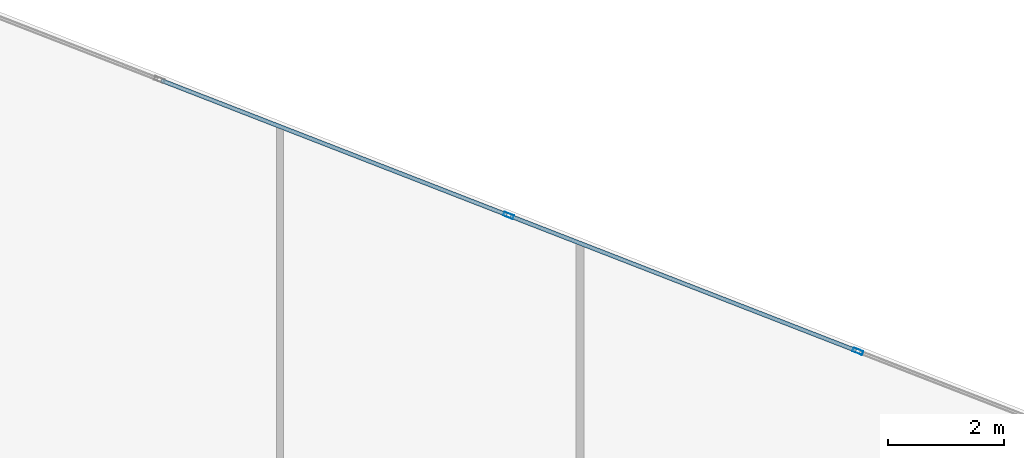
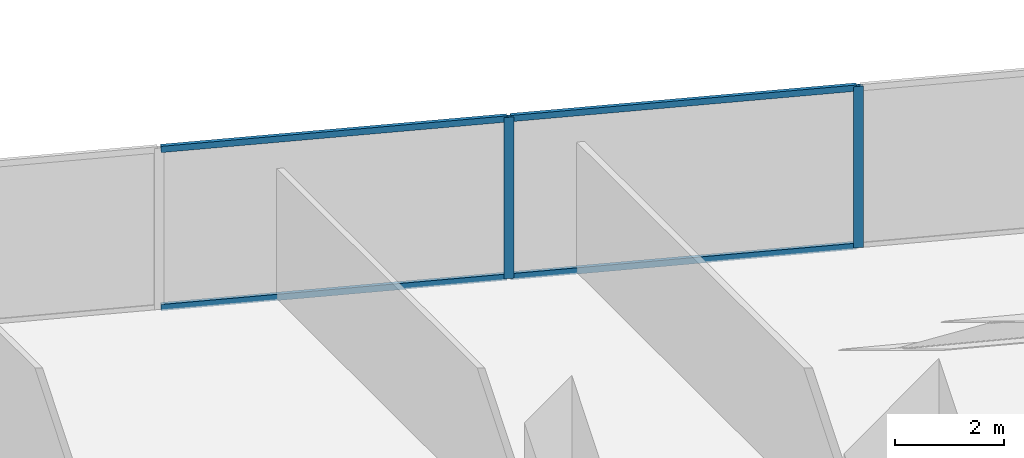
# One storey, part 20 of 26: 6 members, 1 element without a shape of its own.
"""IFC4 building model written with IfcOpenShell, lengths in metres."""

from ifc_helpers import new_model, si_unit, direction, frame, origin, origin_2d, place, context, subcontext, project, spatial, hollow_rectangle, extrude, source, transform, mapped, material, material_profile, profile_set, type_object, type_shapes, element, aggregate, save


model = new_model("IFC4")

# Units and contexts
model_context = context("Model", 3, precision=1e-05, world=origin(), true_north=direction((0.0, 1.0)))
body_context = subcontext(model_context, "Body", "Model", "MODEL_VIEW")
ifc_project = project(units=[si_unit("LENGTHUNIT", "METRE"), si_unit("AREAUNIT", "SQUARE_METRE"), si_unit("VOLUMEUNIT", "CUBIC_METRE"), si_unit("PLANEANGLEUNIT", "RADIAN"), si_unit("MASSUNIT", "GRAM", prefix="KILO")], contexts=[model_context])

# Site, building, storey
site_placement = place(None, origin())
site = spatial("IfcSite", under=ifc_project, at=site_placement, CompositionType="ELEMENT")
building_placement = place(site_placement, origin())
building = spatial("IfcBuilding", under=site, at=building_placement, Name="Krantzveldt Concourse Tower", CompositionType="ELEMENT")
storey_placement = place(building_placement, frame((0.0, 0.0, 137.449951171875)))
storey = spatial("IfcBuildingStorey", under=building, at=storey_placement, Name="L33", CompositionType="ELEMENT", Elevation=137.449951171875)

# Curtain wall, members
ifc_material = material(Name="Anodised aluminium 6063-T6", Category="aluminium")
curtain_wall_type = type_object("IfcCurtainWallType", Name="CW2", PredefinedType="USERDEFINED", material=ifc_material)
curtain_wall_placement = place(storey_placement, origin())
curtain_wall = element("IfcCurtainWall", 1, at=curtain_wall_placement, inside=storey, type_object=curtain_wall_type, Name="CW-L33-F14", ObjectType="UNITISED CURTAIN WALL", PredefinedType="USERDEFINED")
ifc_material_profile_1 = material_profile(ifc_material, hollow_rectangle(XDim=0.070068359375, YDim=0.139892578125, WallThickness=0.0048828125, at=origin_2d()), Name="Anodised aluminium 6063-T6", Category="aluminium")
ifc_profile_set_1 = profile_set([ifc_material_profile_1], Name="Anodised aluminium 6063-T6 - ALU-TRAN 140x70x5")
member_type_1 = type_object("IfcMemberType", Name="CW-TRN-150", PredefinedType="USERDEFINED", material=ifc_profile_set_1)
shared_shape_1 = source(origin(), body_context, "Body", "SweptSolid", [
    extrude(hollow_rectangle(XDim=0.070068359375, YDim=0.139892578125, WallThickness=0.0048828125, at=origin_2d()), origin(), (0.0, 0.0, 1.0), 6.396728515625),
])
member_1_placement = place(storey_placement, frame((50.44287109375, 46.093994140625, 0.03515625), z_axis=(-0.932013266299, 0.362424159573, 0.0), x_axis=(-0.362424159573, -0.932013266299, 0.0)))
member_1 = element("IfcMember", 2, at=member_1_placement, type_object=member_type_1, Name="CW-Z12 transom 3.1", ObjectType="TRANSOM", PredefinedType="USERDEFINED", context=body_context, shape_type="MappedRepresentation", body=[
    mapped(shared_shape_1, transform((0.0, 0.0, 0.0), x_axis=(1.0, 0.0, 0.0), y_axis=(0.0, 1.0, 0.0), z_axis=(0.0, 0.0, 1.0), scale=1.0)),
])
member_2_placement = place(storey_placement, frame((50.44287109375, 46.093994140625, 3.56494140625), z_axis=(-0.932013266299, 0.362424159573, 0.0), x_axis=(-0.362424159573, -0.932013266299, 0.0)))
member_2 = element("IfcMember", 3, at=member_2_placement, type_object=member_type_1, Name="CW-Z12 transom 3.2", ObjectType="TRANSOM", PredefinedType="USERDEFINED", context=body_context, shape_type="MappedRepresentation", body=[
    mapped(shared_shape_1, transform((0.0, 0.0, 0.0), x_axis=(1.0, 0.0, 0.0), y_axis=(0.0, 1.0, 0.0), z_axis=(0.0, 0.0, 1.0), scale=1.0)),
])
shared_shape_2 = source(origin(), body_context, "Body", "SweptSolid", [
    extrude(hollow_rectangle(XDim=0.070068359375, YDim=0.139892578125, WallThickness=0.0048828125, at=origin_2d()), origin(), (0.0, 0.0, 1.0), 6.396484375),
])
type_shapes(member_type_1, [shared_shape_1, shared_shape_2])
member_3_placement = place(storey_placement, frame((44.415771484375, 48.437744140625, 0.03515625), z_axis=(-0.932008252882, 0.36243705186, 0.0), x_axis=(-0.36243705186, -0.932008252882, 0.0)))
member_3 = element("IfcMember", 4, at=member_3_placement, type_object=member_type_1, Name="CW-Z12 transom 4.1", ObjectType="TRANSOM", PredefinedType="USERDEFINED", context=body_context, shape_type="MappedRepresentation", body=[
    mapped(shared_shape_2, transform((0.0, 0.0, 0.0), x_axis=(1.0, 0.0, 0.0), y_axis=(0.0, 1.0, 0.0), z_axis=(0.0, 0.0, 1.0), scale=1.0)),
])
member_4_placement = place(storey_placement, frame((44.415771484375, 48.437744140625, 3.56494140625), z_axis=(-0.932008252882, 0.36243705186, 0.0), x_axis=(-0.36243705186, -0.932008252882, 0.0)))
member_4 = element("IfcMember", 5, at=member_4_placement, type_object=member_type_1, Name="CW-Z12 transom 4.2", ObjectType="TRANSOM", PredefinedType="USERDEFINED", context=body_context, shape_type="MappedRepresentation", body=[
    mapped(shared_shape_2, transform((0.0, 0.0, 0.0), x_axis=(1.0, 0.0, 0.0), y_axis=(0.0, 1.0, 0.0), z_axis=(0.0, 0.0, 1.0), scale=1.0)),
])
ifc_material_profile_2 = material_profile(ifc_material, hollow_rectangle(XDim=0.070068359375, YDim=0.179931640625, WallThickness=0.0048828125, at=origin_2d()), Name="Anodised aluminium 6063-T6", Category="aluminium")
ifc_profile_set_2 = profile_set([ifc_material_profile_2], Name="Anodised aluminium 6063-T6 - ALU-MULL 180x70x5")
member_type_2 = type_object("IfcMemberType", Name="CW-MUL-180", PredefinedType="MULLION", material=ifc_profile_set_2)
shared_shape_3 = source(origin(), body_context, "Body", "SweptSolid", [
    extrude(hollow_rectangle(XDim=0.070068359375, YDim=0.179931640625, WallThickness=0.0048828125, at=origin_2d()), origin(), (0.0, 0.0, 1.0), 3.60009765625),
])
type_shapes(member_type_2, [shared_shape_3])
member_5_placement = place(storey_placement, frame((50.475341796875, 46.081298828125, 0.0), z_axis=(0.0, 0.0, 1.0), x_axis=(-0.362437952917, -0.93200790248, 0.0)))
member_5 = element("IfcMember", 6, at=member_5_placement, type_object=member_type_2, Name="CW-Z12 mullion 3", PredefinedType="MULLION", context=body_context, shape_type="MappedRepresentation", body=[
    mapped(shared_shape_3, transform((0.0, 0.0, 0.0), x_axis=(1.0, 0.0, 0.0), y_axis=(0.0, 1.0, 0.0), z_axis=(0.0, 0.0, 1.0), scale=1.0)),
])
member_6_placement = place(storey_placement, frame((44.448486328125, 48.425048828125, 0.0), z_axis=(0.0, 0.0, 1.0), x_axis=(-0.362437952917, -0.93200790248, 0.0)))
member_6 = element("IfcMember", 7, at=member_6_placement, type_object=member_type_2, Name="CW-Z12 mullion 4", PredefinedType="MULLION", context=body_context, shape_type="MappedRepresentation", body=[
    mapped(shared_shape_3, transform((0.0, 0.0, 0.0), x_axis=(1.0, 0.0, 0.0), y_axis=(0.0, 1.0, 0.0), z_axis=(0.0, 0.0, 1.0), scale=1.0)),
])
aggregate(curtain_wall, [member_5, member_6, member_1, member_2, member_3, member_4])

save(model, "model.ifc")
